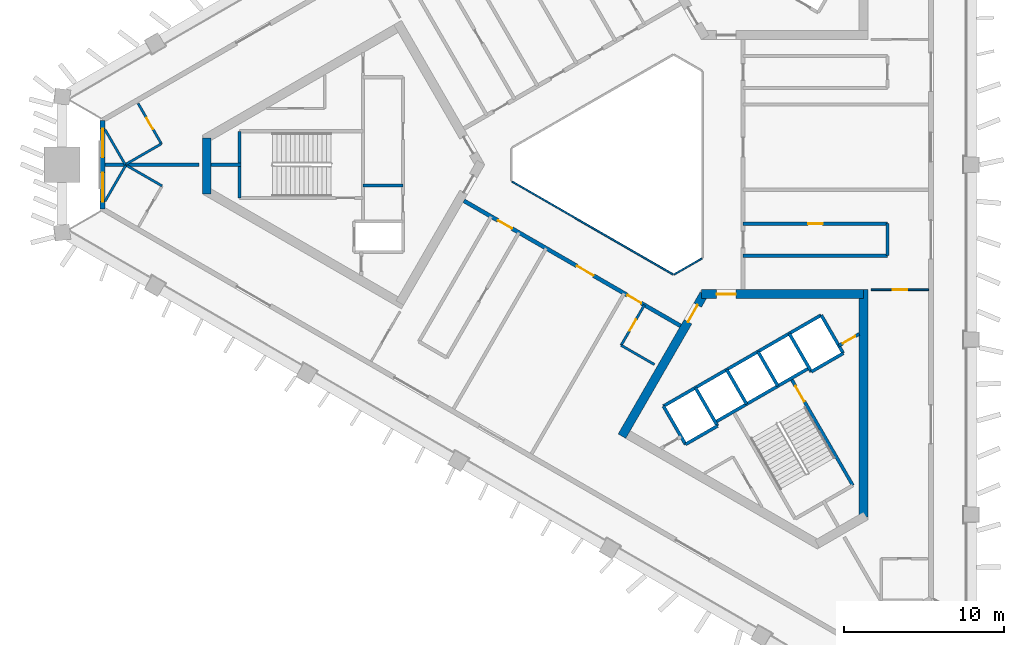
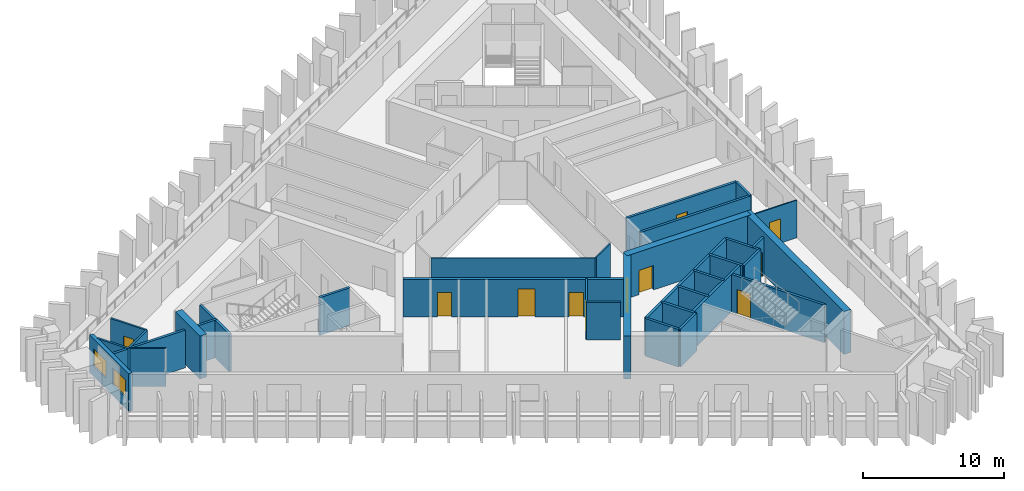
# One storey, part 3 of 10: 35 walls, 11 doors, 2 windows, 13 openings.
"""IFC4 building model written with IfcOpenShell, lengths in metres."""

from ifc_helpers import new_model, si_unit, direction, frame, frame_2d, origin, place, context, subcontext, project, spatial, rectangle, extrude, material, layer, layer_set, type_object, element, fill, save


model = new_model("IFC4")

# Units and contexts
model_context = context("Model", 3, precision=1e-05, world=origin(), true_north=direction((0.0, 1.0)))
body_context = subcontext(model_context, "Body", "Model", "MODEL_VIEW")
ifc_project = project(units=[si_unit("LENGTHUNIT", "METRE"), si_unit("AREAUNIT", "SQUARE_METRE"), si_unit("VOLUMEUNIT", "CUBIC_METRE"), si_unit("PLANEANGLEUNIT", "RADIAN"), si_unit("MASSUNIT", "GRAM", prefix="KILO")], contexts=[model_context])

# Site, building, storey
site_placement = place(None, origin())
site = spatial("IfcSite", under=ifc_project, at=site_placement, CompositionType="ELEMENT")
building_placement = place(site_placement, origin())
building = spatial("IfcBuilding", under=site, at=building_placement, Name="Jabali Bay Hotel Tower and Convention Centre", CompositionType="ELEMENT")
storey_placement = place(building_placement, frame((0.0, 0.0, 163.699951171875)))
storey = spatial("IfcBuildingStorey", under=building, at=storey_placement, Name="L39", CompositionType="ELEMENT", Elevation=163.699951171875)

# Walls
ifc_material_1 = material(Name="Fire-resistant glazing", Category="glass")
ifc_layer_1 = layer(ifc_material_1, 0.10009765625)
ifc_layer_set_1 = layer_set([ifc_layer_1], Name="Fire-resistant glazing")
wall_type_1 = type_object("IfcWallType", Name="Atrium glazed screen 100", PredefinedType="PARTITIONING", material=ifc_layer_set_1)
wall_1_placement = place(storey_placement, frame((67.7021484375, 78.947998046875, 0.0), z_axis=(0.0, 0.0, 1.0), x_axis=(0.866026658274, -0.499997827154, 0.0)))
element("IfcWall", 1, at=wall_1_placement, inside=storey, type_object=wall_type_1, Name="Atrium screen 5 L39", PredefinedType="PARTITIONING", context=body_context, shape_type="SweptSolid", body=[
    extrude(rectangle(XDim=11.58837890625, YDim=0.10009765625, at=frame_2d((5.794189453125, 0.0))), origin(), (0.0, 0.0, 1.0), 3.25),
])
wall_2_placement = place(storey_placement, frame((77.7978515625, 73.15380859375, 0.0), z_axis=(0.0, 0.0, 1.0), x_axis=(0.866041268327, 0.499972520799, 0.0)))
element("IfcWall", 2, at=wall_2_placement, inside=storey, type_object=wall_type_1, Name="Atrium screen 6 L39", PredefinedType="PARTITIONING", context=body_context, shape_type="SweptSolid", body=[
    extrude(rectangle(XDim=2.0, YDim=0.10009765625, at=frame_2d((1.0, 0.0))), origin(), (0.0, 0.0, 1.0), 3.25),
])
ifc_material_2 = material(Name="Concrete C40", Category="concrete")
ifc_layer_2 = layer(ifc_material_2, 0.199951171875)
ifc_layer_set_2 = layer_set([ifc_layer_2], Name="Concrete C40")
wall_type_2 = type_object("IfcWallType", Name="Core partition wall 200", PredefinedType="PARTITIONING", material=ifc_layer_set_2)
wall_3_placement = place(storey_placement, frame((50.820068359375, 80.0, 0.0), z_axis=(0.0, 0.0, 1.0), x_axis=(-1.0, 0.0, 0.0)))
element("IfcWall", 3, at=wall_3_placement, inside=storey, type_object=wall_type_2, Name="Core wall 0.3 L39", PredefinedType="PARTITIONING", context=body_context, shape_type="SweptSolid", body=[
    extrude(rectangle(XDim=1.873046875, YDim=0.199951171875, at=frame_2d((0.9365234375, 0.0))), origin(), (0.0, 0.0, 1.0), 3.25),
])

# Wall, opening, door
wall_4_placement = place(storey_placement, frame((88.064697265625, 68.72119140625, 0.0), z_axis=(0.0, 0.0, 1.0), x_axis=(0.865982457891, 0.500074377092, 0.0)))
wall_4 = element("IfcWall", 4, at=wall_4_placement, inside=storey, type_object=wall_type_2, Name="Core wall 2.12 L39", PredefinedType="PARTITIONING", context=body_context, shape_type="SweptSolid", body=[
    extrude(rectangle(XDim=1.461181640625, YDim=0.199951171875, at=frame_2d((0.73046875, 0.0))), origin(), (0.0, 0.0, 1.0), 3.25),
])
opening_1_placement = place(wall_4_placement, frame((0.280517578125, 0.0, 0.0)))
opening_1 = element("IfcOpeningElement", 5, at=opening_1_placement, cuts=wall_4, Name="Opening D861", PredefinedType="OPENING", context=body_context, shape_type="SweptSolid", body=[
    extrude(rectangle(XDim=0.89990234375, YDim=2.10009765625, at=frame_2d((0.449951171875, 1.050048828125))), frame((0.0, 0.1103515625, 0.0), z_axis=(0.0, -1.0, 0.0), x_axis=(1.0, 0.0, 0.0)), (0.0, 0.0, 1.0), 0.220947265625),
])
ifc_material_3 = material(Name="Fire-rated steel door", Category="steel")
door_type_1 = type_object("IfcDoorType", Name="Vestibule fire door 900 x 2100", OperationType="NOTDEFINED", PredefinedType="NOTDEFINED", material=ifc_material_3)
door_1_placement = place(opening_1_placement, origin())
door_1 = element("IfcDoor", 6, at=door_1_placement, inside=storey, type_object=door_type_1, Name="Vestibule fire door D861", OperationType="SINGLE_SWING_LEFT", OverallHeight=2.10009765625, OverallWidth=0.89990234375, PredefinedType="NOTDEFINED", context=body_context, shape_type="SweptSolid", body=[
    extrude(rectangle(XDim=0.89990234375, YDim=2.10009765625, at=frame_2d((0.449951171875, 1.050048828125))), frame((0.0, 0.02490234375, 0.0), z_axis=(0.0, -1.0, 0.0), x_axis=(1.0, 0.0, 0.0)), (0.0, 0.0, 1.0), 0.050048828125),
])
fill(opening_1, door_1)

# Walls
ifc_layer_3 = layer(ifc_material_2, 0.199951171875)
ifc_layer_set_3 = layer_set([ifc_layer_3], Name="Concrete C40")
wall_type_3 = type_object("IfcWallType", Name="Core stair wall 200", PredefinedType="SOLIDWALL", material=ifc_layer_set_3)
wall_5_placement = place(storey_placement, frame((60.89990234375, 78.699951171875, 0.0), z_axis=(0.0, 0.0, 1.0), x_axis=(-1.0, 0.0, 0.0)))
element("IfcWall", 7, at=wall_5_placement, inside=storey, type_object=wall_type_3, Name="Core wall 0.4 L39", PredefinedType="SOLIDWALL", context=body_context, shape_type="SweptSolid", body=[
    extrude(rectangle(XDim=2.47998046875, YDim=0.199951171875, at=frame_2d((1.239990234375, 0.0))), origin(), (0.0, 0.0, 1.0), 3.25),
])
wall_6_placement = place(storey_placement, frame((50.719970703125, 82.074951171875, 0.0), z_axis=(0.0, 0.0, 1.0), x_axis=(0.0, -1.0, 0.0)))
element("IfcWall", 8, at=wall_6_placement, inside=storey, type_object=wall_type_3, Name="Core wall 0.13 L39", PredefinedType="SOLIDWALL", context=body_context, shape_type="SweptSolid", body=[
    extrude(rectangle(XDim=4.14990234375, YDim=0.199951171875, at=frame_2d((2.074951171875, 0.0))), origin(), (0.0, 0.0, 1.0), 3.25),
])
for number, where, z_axis, x_axis, name in (
    (9, (77.13525390625, 64.95166015625, 0.0), (0.0, 0.0, 1.0), (0.499996545922, -0.866027397988, 0.0), "Core wall 2.0 L39"),
    (10, (79.127197265625, 66.1015625, 0.0), (0.0, 0.0, 1.0), (0.499996545922, -0.866027397988, 0.0), "Core wall 2.2 L39"),
):
    element("IfcWall", number, at=place(storey_placement, frame(where, z_axis=z_axis, x_axis=x_axis)), inside=storey, type_object=wall_type_3, Name=name, PredefinedType="SOLIDWALL", context=body_context, shape_type="SweptSolid", body=[
        extrude(rectangle(XDim=2.75, YDim=0.199951171875, at=frame_2d((1.375, 0.0))), origin(), (0.0, 0.0, 1.0), 3.25),
    ])
for number, where, z_axis, x_axis, name in (
    (11, (81.07568359375, 67.2265625, 0.0), (0.0, 0.0, 1.0), (0.50000366821, -0.866023285932, 0.0), "Core wall 2.4 L39"),
    (12, (83.024169921875, 68.3515625, 0.0), (0.0, 0.0, 1.0), (0.50000366821, -0.866023285932, 0.0), "Core wall 2.6 L39"),
):
    element("IfcWall", number, at=place(storey_placement, frame(where, z_axis=z_axis, x_axis=x_axis)), inside=storey, type_object=wall_type_3, Name=name, PredefinedType="SOLIDWALL", context=body_context, shape_type="SweptSolid", body=[
        extrude(rectangle(XDim=2.47998046875, YDim=0.199951171875, at=frame_2d((1.239990234375, 0.0))), origin(), (0.0, 0.0, 1.0), 3.25),
    ])

# Wall, opening, door
wall_7_placement = place(storey_placement, frame((85.0869140625, 66.6787109375, 0.0), z_axis=(0.0, 0.0, 1.0), x_axis=(0.500019787375, -0.866013979237, 0.0)))
wall_7 = element("IfcWall", 13, at=wall_7_placement, inside=storey, type_object=wall_type_3, Name="Core wall 2.7 L39", PredefinedType="SOLIDWALL", context=body_context, shape_type="SweptSolid", body=[
    extrude(rectangle(XDim=7.699951171875, YDim=0.199951171875, at=frame_2d((3.85009765625, 0.0))), origin(), (0.0, 0.0, 1.0), 3.25),
])
opening_2_placement = place(wall_7_placement, frame((0.550048828125, 0.0, 0.0)))
opening_2 = element("IfcOpeningElement", 14, at=opening_2_placement, cuts=wall_7, Name="Opening D863", PredefinedType="OPENING", context=body_context, shape_type="SweptSolid", body=[
    extrude(rectangle(XDim=1.10009765625, YDim=2.10009765625, at=frame_2d((0.550048828125, 1.050048828125))), frame((0.0, 0.1103515625, 0.0), z_axis=(0.0, -1.0, 0.0), x_axis=(1.0, 0.0, 0.0)), (0.0, 0.0, 1.0), 0.220947265625),
])
door_type_2 = type_object("IfcDoorType", Name="Stair fire door 1100 x 2100", OperationType="NOTDEFINED", PredefinedType="NOTDEFINED", material=ifc_material_3)
door_2_placement = place(opening_2_placement, origin())
door_2 = element("IfcDoor", 15, at=door_2_placement, inside=storey, type_object=door_type_2, Name="Stair fire door D863", OperationType="SINGLE_SWING_RIGHT", OverallHeight=2.10009765625, OverallWidth=1.10009765625, PredefinedType="NOTDEFINED", context=body_context, shape_type="SweptSolid", body=[
    extrude(rectangle(XDim=1.10009765625, YDim=2.10009765625, at=frame_2d((0.550048828125, 1.050048828125))), frame((0.0, 0.02490234375, 0.0), z_axis=(0.0, -1.0, 0.0), x_axis=(1.0, 0.0, 0.0)), (0.0, 0.0, 1.0), 0.050048828125),
])
fill(opening_2, door_2)

# Walls
for number, where, z_axis, x_axis, name in (
    (16, (84.972900390625, 69.4765625, 0.0), (0.0, 0.0, 1.0), (0.499996545922, -0.866027397988, 0.0), "Core wall 2.8 L39"),
    (17, (86.964599609375, 70.62646484375, 0.0), (0.0, 0.0, 1.0), (0.499996545922, -0.866027397988, 0.0), "Core wall 2.9 L39"),
):
    element("IfcWall", number, at=place(storey_placement, frame(where, z_axis=z_axis, x_axis=x_axis)), inside=storey, type_object=wall_type_3, Name=name, PredefinedType="SOLIDWALL", context=body_context, shape_type="SweptSolid", body=[
        extrude(rectangle(XDim=2.75, YDim=0.199951171875, at=frame_2d((1.375, 0.0))), origin(), (0.0, 0.0, 1.0), 3.25),
    ])
wall_8_placement = place(storey_placement, frame((77.13525390625, 64.95166015625, 0.0), z_axis=(0.0, 0.0, 1.0), x_axis=(0.866031916153, 0.499988720078, 0.0)))
element("IfcWall", 18, at=wall_8_placement, inside=storey, type_object=wall_type_3, Name="Core wall 2.10 L39", PredefinedType="SOLIDWALL", context=body_context, shape_type="SweptSolid", body=[
    extrude(rectangle(XDim=11.349853515625, YDim=0.199951171875, at=frame_2d((5.6748046875, 0.0))), origin(), (0.0, 0.0, 1.0), 3.25),
])
wall_9_placement = place(storey_placement, frame((80.3671875, 63.953857421875, 0.0), z_axis=(0.0, 0.0, 1.0), x_axis=(0.866026575979, 0.499997969693, 0.0)))
element("IfcWall", 19, at=wall_9_placement, inside=storey, type_object=wall_type_3, Name="Core wall 2.13 L39", PredefinedType="SOLIDWALL", context=body_context, shape_type="SweptSolid", body=[
    extrude(rectangle(XDim=6.75, YDim=0.199951171875, at=frame_2d((3.375, 0.0))), origin(), (0.0, 0.0, 1.0), 3.25),
])
wall_10_placement = place(storey_placement, frame((78.51025390625, 62.570068359375, 0.0), z_axis=(0.0, 0.0, 1.0), x_axis=(0.866053019151, 0.499952165731, 0.0)))
element("IfcWall", 20, at=wall_10_placement, inside=storey, type_object=wall_type_3, Name="Core wall 2.14 L39", PredefinedType="SOLIDWALL", context=body_context, shape_type="SweptSolid", body=[
    extrude(rectangle(XDim=2.300048828125, YDim=0.199951171875, at=frame_2d((1.14990234375, 0.0))), origin(), (0.0, 0.0, 1.0), 3.25),
])
wall_11_placement = place(storey_placement, frame((86.347900390625, 67.094970703125, 0.0), z_axis=(0.0, 0.0, 1.0), x_axis=(0.86602648383, 0.499998129301, 0.0)))
element("IfcWall", 21, at=wall_11_placement, inside=storey, type_object=wall_type_3, Name="Core wall 2.15 L39", PredefinedType="SOLIDWALL", context=body_context, shape_type="SweptSolid", body=[
    extrude(rectangle(XDim=2.2998046875, YDim=0.199951171875, at=frame_2d((1.14990234375, 0.0))), origin(), (0.0, 0.0, 1.0), 3.25),
])
ifc_material_4 = material(Name="Concrete C60", Category="concrete")
ifc_layer_4 = layer(ifc_material_4, 0.550048828125)
ifc_layer_set_4 = layer_set([ifc_layer_4], Name="Concrete C60")
wall_type_4 = type_object("IfcWallType", Name="Core wall 550", PredefinedType="SHEAR", material=ifc_layer_set_4)
wall_12_placement = place(storey_placement, frame((48.671875, 81.663818359375, 0.0), z_axis=(0.0, 0.0, 1.0), x_axis=(0.0, -1.0, 0.0)))
element("IfcWall", 22, at=wall_12_placement, inside=storey, type_object=wall_type_4, Name="Core wall 1.3 L39", PredefinedType="SHEAR", context=body_context, shape_type="SweptSolid", body=[
    extrude(rectangle(XDim=3.486572265625, YDim=0.550048828125, at=frame_2d((1.7431640625, 0.0))), origin(), (0.0, 0.0, 1.0), 3.699951171875),
])

# Wall, opening, door
wall_13_placement = place(storey_placement, frame((79.65869140625, 71.9306640625, 0.0), z_axis=(0.0, 0.0, 1.0), x_axis=(-0.500000202252, -0.866025287014, 0.0)))
wall_13 = element("IfcWall", 23, at=wall_13_placement, inside=storey, type_object=wall_type_4, Name="Core wall 3.1 L39", PredefinedType="SHEAR", context=body_context, shape_type="SweptSolid", body=[
    extrude(rectangle(XDim=10.22119140625, YDim=0.550048828125, at=frame_2d((5.110595703125, 0.0))), origin(), (0.0, 0.0, 1.0), 3.699951171875),
])
opening_3_placement = place(wall_13_placement, frame((0.791259765625, 0.0, 0.0)))
opening_3 = element("IfcOpeningElement", 24, at=opening_3_placement, cuts=wall_13, Name="Opening D859", PredefinedType="OPENING", context=body_context, shape_type="SweptSolid", body=[
    extrude(rectangle(XDim=1.199951171875, YDim=2.10009765625, at=frame_2d((0.60009765625, 1.050048828125))), frame((0.0, 0.28564453125, 0.0), z_axis=(0.0, -1.0, 0.0), x_axis=(1.0, 0.0, 0.0)), (0.0, 0.0, 1.0), 0.571044921875),
])
door_type_3 = type_object("IfcDoorType", Name="Corridor end fire door 1200 x 2100", OperationType="NOTDEFINED", PredefinedType="NOTDEFINED", material=ifc_material_3)
door_3_placement = place(opening_3_placement, origin())
door_3 = element("IfcDoor", 25, at=door_3_placement, inside=storey, type_object=door_type_3, Name="Corridor end fire door D859", OperationType="SINGLE_SWING_RIGHT", OverallHeight=2.10009765625, OverallWidth=1.199951171875, PredefinedType="NOTDEFINED", context=body_context, shape_type="SweptSolid", body=[
    extrude(rectangle(XDim=1.199951171875, YDim=2.10009765625, at=frame_2d((0.60009765625, 1.050048828125))), frame((0.0, 0.02490234375, 0.0), z_axis=(0.0, -1.0, 0.0), x_axis=(1.0, 0.0, 0.0)), (0.0, 0.0, 1.0), 0.050048828125),
])
fill(opening_3, door_3)

# Wall
wall_14_placement = place(storey_placement, frame((89.60498046875, 58.03125, 0.0), z_axis=(0.0, 0.0, 1.0), x_axis=(0.0, 1.0, 0.0)))
element("IfcWall", 26, at=wall_14_placement, inside=storey, type_object=wall_type_4, Name="Core wall 3.4 L39", PredefinedType="SHEAR", context=body_context, shape_type="SweptSolid", body=[
    extrude(rectangle(XDim=14.174560546875, YDim=0.550048828125, at=frame_2d((7.08740234375, 0.0))), origin(), (0.0, 0.0, 1.0), 3.699951171875),
])

# Wall, opening, door
wall_15_placement = place(storey_placement, frame((89.60498046875, 71.9306640625, 0.0), z_axis=(0.0, 0.0, 1.0), x_axis=(-1.0, 0.0, 0.0)))
wall_15 = element("IfcWall", 27, at=wall_15_placement, inside=storey, type_object=wall_type_4, Name="Core wall 3.5 L39", PredefinedType="SHEAR", context=body_context, shape_type="SweptSolid", body=[
    extrude(rectangle(XDim=10.10498046875, YDim=0.550048828125, at=frame_2d((5.052490234375, 0.0))), origin(), (0.0, 0.0, 1.0), 3.699951171875),
])
opening_4_placement = place(wall_15_placement, frame((7.955078125, 0.0, 0.0)))
opening_4 = element("IfcOpeningElement", 28, at=opening_4_placement, cuts=wall_15, Name="Opening D860", PredefinedType="OPENING", context=body_context, shape_type="SweptSolid", body=[
    extrude(rectangle(XDim=1.199951171875, YDim=2.10009765625, at=frame_2d((0.60009765625, 1.050048828125))), frame((0.0, 0.28564453125, 0.0), z_axis=(0.0, -1.0, 0.0), x_axis=(1.0, 0.0, 0.0)), (0.0, 0.0, 1.0), 0.571044921875),
])
door_4_placement = place(opening_4_placement, origin())
door_4 = element("IfcDoor", 29, at=door_4_placement, inside=storey, type_object=door_type_3, Name="Corridor end fire door D860", OperationType="SINGLE_SWING_LEFT", OverallHeight=2.10009765625, OverallWidth=1.199951171875, PredefinedType="NOTDEFINED", context=body_context, shape_type="SweptSolid", body=[
    extrude(rectangle(XDim=1.199951171875, YDim=2.10009765625, at=frame_2d((0.60009765625, 1.050048828125))), frame((0.0, 0.02490234375, 0.0), z_axis=(0.0, -1.0, 0.0), x_axis=(1.0, 0.0, 0.0)), (0.0, 0.0, 1.0), 0.050048828125),
])
fill(opening_4, door_4)

# Wall, openings, doors
ifc_layer_5 = layer(ifc_material_4, 0.25)
ifc_layer_set_5 = layer_set([ifc_layer_5], Name="Concrete C60")
wall_type_5 = type_object("IfcWallType", Name="Corridor wall 250", PredefinedType="SHEAR", material=ifc_layer_set_5)
wall_16_placement = place(storey_placement, frame((64.699951171875, 77.748291015625, 0.0), z_axis=(0.0, 0.0, 1.0), x_axis=(0.866026492143, -0.499998114903, 0.0)))
wall_16 = element("IfcWall", 30, at=wall_16_placement, inside=storey, type_object=wall_type_5, Name="Corridor wall 3 L39", PredefinedType="SHEAR", context=body_context, shape_type="SweptSolid", body=[
    extrude(rectangle(XDim=15.58837890625, YDim=0.25, at=frame_2d((7.794189453125, 0.0))), origin(), (0.0, 0.0, 1.0), 3.25),
])
opening_5_placement = place(wall_16_placement, frame((2.4619140625, 0.0, 0.0)))
opening_5 = element("IfcOpeningElement", 31, at=opening_5_placement, cuts=wall_16, Name="Opening 3918", PredefinedType="OPENING", context=body_context, shape_type="SweptSolid", body=[
    extrude(rectangle(XDim=1.0, YDim=2.10009765625, at=frame_2d((0.5, 1.050048828125))), frame((0.0, 0.135498046875, 0.0), z_axis=(0.0, -1.0, 0.0), x_axis=(1.0, 0.0, 0.0)), (0.0, 0.0, 1.0), 0.27099609375),
])
opening_6_placement = place(wall_16_placement, frame((8.12939453125, 0.0, 0.0)))
opening_6 = element("IfcOpeningElement", 32, at=opening_6_placement, cuts=wall_16, Name="Opening 3922", PredefinedType="OPENING", context=body_context, shape_type="SweptSolid", body=[
    extrude(rectangle(XDim=1.199951171875, YDim=2.39990234375, at=frame_2d((0.60009765625, 1.199951171875))), frame((0.0, 0.135498046875, 0.0), z_axis=(0.0, -1.0, 0.0), x_axis=(1.0, 0.0, 0.0)), (0.0, 0.0, 1.0), 0.27099609375),
])
opening_7_placement = place(wall_16_placement, frame((11.761962890625, 0.0, 0.0)))
opening_7 = element("IfcOpeningElement", 33, at=opening_7_placement, cuts=wall_16, Name="Opening 3924", PredefinedType="OPENING", context=body_context, shape_type="SweptSolid", body=[
    extrude(rectangle(XDim=1.0, YDim=2.10009765625, at=frame_2d((0.5, 1.050048828125))), frame((0.0, 0.135498046875, 0.0), z_axis=(0.0, -1.0, 0.0), x_axis=(1.0, 0.0, 0.0)), (0.0, 0.0, 1.0), 0.27099609375),
])
ifc_material_5 = material(Name="Timber", Category="wood")
door_type_4 = type_object("IfcDoorType", Name="Guest room door 1000 x 2100", OperationType="NOTDEFINED", PredefinedType="NOTDEFINED", material=ifc_material_5)
door_5_placement = place(opening_5_placement, origin())
door_5 = element("IfcDoor", 34, at=door_5_placement, inside=storey, type_object=door_type_4, Name="Door 3918", OperationType="SINGLE_SWING_LEFT", OverallHeight=2.10009765625, OverallWidth=1.0, PredefinedType="NOTDEFINED", context=body_context, shape_type="SweptSolid", body=[
    extrude(rectangle(XDim=1.0, YDim=2.10009765625, at=frame_2d((0.5, 1.050048828125))), frame((0.0, 0.02490234375, 0.0), z_axis=(0.0, -1.0, 0.0), x_axis=(1.0, 0.0, 0.0)), (0.0, 0.0, 1.0), 0.050048828125),
])
fill(opening_5, door_5)
door_6_placement = place(opening_7_placement, origin())
door_6 = element("IfcDoor", 35, at=door_6_placement, inside=storey, type_object=door_type_4, Name="Door 3924", OperationType="SINGLE_SWING_RIGHT", OverallHeight=2.10009765625, OverallWidth=1.0, PredefinedType="NOTDEFINED", context=body_context, shape_type="SweptSolid", body=[
    extrude(rectangle(XDim=1.0, YDim=2.10009765625, at=frame_2d((0.5, 1.050048828125))), frame((0.0, 0.02490234375, 0.0), z_axis=(0.0, -1.0, 0.0), x_axis=(1.0, 0.0, 0.0)), (0.0, 0.0, 1.0), 0.050048828125),
])
fill(opening_7, door_6)
door_type_5 = type_object("IfcDoorType", Name="Public room door 1200 x 2400", OperationType="NOTDEFINED", PredefinedType="NOTDEFINED", material=ifc_material_5)
door_7_placement = place(opening_6_placement, origin())
door_7 = element("IfcDoor", 36, at=door_7_placement, inside=storey, type_object=door_type_5, Name="Door 3922", OperationType="SINGLE_SWING_RIGHT", OverallHeight=2.39990234375, OverallWidth=1.199951171875, PredefinedType="NOTDEFINED", context=body_context, shape_type="SweptSolid", body=[
    extrude(rectangle(XDim=1.199951171875, YDim=2.39990234375, at=frame_2d((0.60009765625, 1.199951171875))), frame((0.0, 0.02490234375, 0.0), z_axis=(0.0, -1.0, 0.0), x_axis=(1.0, 0.0, 0.0)), (0.0, 0.0, 1.0), 0.050048828125),
])
fill(opening_6, door_7)

# Wall, openings, windows
ifc_layer_6 = layer(ifc_material_2, 0.300048828125)
ifc_layer_set_6 = layer_set([ifc_layer_6], Name="Concrete C40")
wall_type_6 = type_object("IfcWallType", Name="External wall 300", PredefinedType="SOLIDWALL", material=ifc_layer_set_6)
wall_17_placement = place(storey_placement, frame((42.18896484375, 77.234130859375, 0.0), z_axis=(0.0, 0.0, 1.0), x_axis=(0.0, 1.0, 0.0)))
wall_17 = element("IfcWall", 37, at=wall_17_placement, inside=storey, type_object=wall_type_6, Name="External wall west chamfer L39", PredefinedType="SOLIDWALL", context=body_context, shape_type="SweptSolid", body=[
    extrude(rectangle(XDim=5.53173828125, YDim=0.300048828125, at=frame_2d((2.765869140625, 0.0))), origin(), (0.0, 0.0, 1.0), 3.25),
])
opening_8_placement = place(wall_17_placement, frame((3.21728515625, 0.0, 0.89990234375)))
opening_8 = element("IfcOpeningElement", 38, at=opening_8_placement, cuts=wall_17, Name="Opening W1", PredefinedType="OPENING", context=body_context, shape_type="SweptSolid", body=[
    extrude(rectangle(XDim=1.800048828125, YDim=1.5, at=frame_2d((0.89990234375, 0.75))), frame((0.0, 0.16064453125, 0.0), z_axis=(0.0, -1.0, 0.0), x_axis=(1.0, 0.0, 0.0)), (0.0, 0.0, 1.0), 0.321044921875),
])
opening_9_placement = place(wall_17_placement, frame((0.465087890625, 0.0, 0.89990234375)))
opening_9 = element("IfcOpeningElement", 39, at=opening_9_placement, cuts=wall_17, Name="Opening W1", PredefinedType="OPENING", context=body_context, shape_type="SweptSolid", body=[
    extrude(rectangle(XDim=1.800048828125, YDim=1.5, at=frame_2d((0.89990234375, 0.75))), frame((0.0, 0.16064453125, 0.0), z_axis=(0.0, -1.0, 0.0), x_axis=(1.0, 0.0, 0.0)), (0.0, 0.0, 1.0), 0.321044921875),
])
ifc_material_6 = material(Name="Glass", Category="glass")
window_type = type_object("IfcWindowType", Name="Window 1800 x 1500", PartitioningType="SINGLE_PANEL", PredefinedType="WINDOW", material=ifc_material_6)
window_1_placement = place(opening_8_placement, origin())
window_1 = element("IfcWindow", 40, at=window_1_placement, inside=storey, type_object=window_type, Name="Window 3908", OverallHeight=1.5, OverallWidth=1.800048828125, PartitioningType="SINGLE_PANEL", PredefinedType="WINDOW", context=body_context, shape_type="SweptSolid", body=[
    extrude(rectangle(XDim=1.800048828125, YDim=1.5, at=frame_2d((0.89990234375, 0.75))), frame((0.0, 0.030029296875, 0.0), z_axis=(0.0, -1.0, 0.0), x_axis=(1.0, 0.0, 0.0)), (0.0, 0.0, 1.0), 0.06005859375),
])
fill(opening_8, window_1)
window_2_placement = place(opening_9_placement, origin())
window_2 = element("IfcWindow", 41, at=window_2_placement, inside=storey, type_object=window_type, Name="Window 3910", OverallHeight=1.5, OverallWidth=1.800048828125, PartitioningType="SINGLE_PANEL", PredefinedType="WINDOW", context=body_context, shape_type="SweptSolid", body=[
    extrude(rectangle(XDim=1.800048828125, YDim=1.5, at=frame_2d((0.89990234375, 0.75))), frame((0.0, 0.030029296875, 0.0), z_axis=(0.0, -1.0, 0.0), x_axis=(1.0, 0.0, 0.0)), (0.0, 0.0, 1.0), 0.06005859375),
])
fill(opening_9, window_2)

# Wall, opening, door
ifc_material_7 = material(Name="Plasterboard on steel stud", Category="steel")
ifc_layer_7 = layer(ifc_material_7, 0.10009765625)
ifc_layer_set_7 = layer_set([ifc_layer_7], Name="Plasterboard on steel stud")
wall_type_7 = type_object("IfcWallType", Name="Partition 100 unit", PredefinedType="PARTITIONING", material=ifc_layer_set_7)
wall_18_placement = place(storey_placement, frame((90.0791015625, 72.205810546875, 0.0), z_axis=(0.0, 0.0, 1.0), x_axis=(1.0, 0.0, 0.0)))
wall_18 = element("IfcWall", 42, at=wall_18_placement, inside=storey, type_object=wall_type_7, Name="Partition P02 L39 001", PredefinedType="PARTITIONING", context=body_context, shape_type="SweptSolid", body=[
    extrude(rectangle(XDim=3.57275390625, YDim=0.10009765625, at=frame_2d((1.786376953125, 0.0))), origin(), (0.0, 0.0, 1.0), 3.25),
])
opening_10_placement = place(wall_18_placement, frame((1.3359375, 0.0, 0.0)))
opening_10 = element("IfcOpeningElement", 43, at=opening_10_placement, cuts=wall_18, Name="Opening 3902", PredefinedType="OPENING", context=body_context, shape_type="SweptSolid", body=[
    extrude(rectangle(XDim=0.89990234375, YDim=2.10009765625, at=frame_2d((0.449951171875, 1.050048828125))), frame((0.0, 0.060546875, 0.0), z_axis=(0.0, -1.0, 0.0), x_axis=(1.0, 0.0, 0.0)), (0.0, 0.0, 1.0), 0.12109375),
])
door_type_6 = type_object("IfcDoorType", Name="Internal door 900 x 2100", OperationType="NOTDEFINED", PredefinedType="NOTDEFINED", material=ifc_material_5)
door_8_placement = place(opening_10_placement, origin())
door_8 = element("IfcDoor", 44, at=door_8_placement, inside=storey, type_object=door_type_6, Name="Door 3902", OperationType="SINGLE_SWING_LEFT", OverallHeight=2.10009765625, OverallWidth=0.89990234375, PredefinedType="NOTDEFINED", context=body_context, shape_type="SweptSolid", body=[
    extrude(rectangle(XDim=0.89990234375, YDim=2.10009765625, at=frame_2d((0.449951171875, 1.050048828125))), frame((0.0, 0.02490234375, 0.0), z_axis=(0.0, -1.0, 0.0), x_axis=(1.0, 0.0, 0.0)), (0.0, 0.0, 1.0), 0.050048828125),
])
fill(opening_10, door_8)

ifc_layer_8 = layer(ifc_material_7, 0.14990234375)
ifc_layer_set_8 = layer_set([ifc_layer_8], Name="Plasterboard on steel stud")
wall_type_8 = type_object("IfcWallType", Name="Partition 150 wet", PredefinedType="PARTITIONING", material=ifc_layer_set_8)
wall_19_placement = place(storey_placement, frame((44.39990234375, 83.812255859375, 0.0), z_axis=(0.0, 0.0, 1.0), x_axis=(0.50005036918, -0.865996321171, 0.0)))
wall_19 = element("IfcWall", 45, at=wall_19_placement, inside=storey, type_object=wall_type_8, Name="Partition P03 L39 028", PredefinedType="PARTITIONING", context=body_context, shape_type="SweptSolid", body=[
    extrude(rectangle(XDim=2.900146484375, YDim=0.14990234375, at=frame_2d((1.4501953125, 0.0))), origin(), (0.0, 0.0, 1.0), 3.25),
])
opening_11_placement = place(wall_19_placement, frame((1.050048828125, 0.0, 0.0)))
opening_11 = element("IfcOpeningElement", 46, at=opening_11_placement, cuts=wall_19, Name="Opening 3916", PredefinedType="OPENING", context=body_context, shape_type="SweptSolid", body=[
    extrude(rectangle(XDim=0.800048828125, YDim=2.10009765625, at=frame_2d((0.39990234375, 1.050048828125))), frame((0.0, 0.08544921875, 0.0), z_axis=(0.0, -1.0, 0.0), x_axis=(1.0, 0.0, 0.0)), (0.0, 0.0, 1.0), 0.1708984375),
])
door_type_7 = type_object("IfcDoorType", Name="En-suite door 800 x 2100", OperationType="NOTDEFINED", PredefinedType="NOTDEFINED", material=ifc_material_5)
door_9_placement = place(opening_11_placement, origin())
door_9 = element("IfcDoor", 47, at=door_9_placement, inside=storey, type_object=door_type_7, Name="Door 3916", OperationType="SINGLE_SWING_LEFT", OverallHeight=2.10009765625, OverallWidth=0.800048828125, PredefinedType="NOTDEFINED", context=body_context, shape_type="SweptSolid", body=[
    extrude(rectangle(XDim=0.800048828125, YDim=2.10009765625, at=frame_2d((0.39990234375, 1.050048828125))), frame((0.0, 0.02490234375, 0.0), z_axis=(0.0, -1.0, 0.0), x_axis=(1.0, 0.0, 0.0)), (0.0, 0.0, 1.0), 0.050048828125),
])
fill(opening_11, door_9)

# Walls
wall_20_placement = place(storey_placement, frame((45.85009765625, 81.30078125, 0.0), z_axis=(0.0, 0.0, 1.0), x_axis=(-0.866021400173, -0.500006934395, 0.0)))
element("IfcWall", 48, at=wall_20_placement, inside=storey, type_object=wall_type_8, Name="Partition P03 L39 029", PredefinedType="PARTITIONING", context=body_context, shape_type="SweptSolid", body=[
    extrude(rectangle(XDim=2.60009765625, YDim=0.14990234375, at=frame_2d((1.300048828125, 0.0))), origin(), (0.0, 0.0, 1.0), 3.25),
])
wall_21_placement = place(storey_placement, frame((43.598388671875, 80.000732421875, 0.0), z_axis=(0.0, 0.0, 1.0), x_axis=(-0.500024252353, 0.866011401229, 0.0)))
element("IfcWall", 49, at=wall_21_placement, inside=storey, type_object=wall_type_8, Name="Partition P03 L39 030", PredefinedType="PARTITIONING", context=body_context, shape_type="SweptSolid", body=[
    extrude(rectangle(XDim=2.520751953125, YDim=0.14990234375, at=frame_2d((1.26025390625, 0.0))), origin(), (0.0, 0.0, 1.0), 3.25),
])
wall_22_placement = place(storey_placement, frame((42.337890625, 77.7177734375, 0.0), z_axis=(0.0, 0.0, 1.0), x_axis=(0.499998180979, 0.866026453994, 0.0)))
element("IfcWall", 50, at=wall_22_placement, inside=storey, type_object=wall_type_8, Name="Partition P03 L39 037", PredefinedType="PARTITIONING", context=body_context, shape_type="SweptSolid", body=[
    extrude(rectangle(XDim=2.60595703125, YDim=0.14990234375, at=frame_2d((1.302978515625, 0.0))), origin(), (0.0, 0.0, 1.0), 3.25),
])
wall_23_placement = place(storey_placement, frame((43.640869140625, 79.974609375, 0.0), z_axis=(0.0, 0.0, 1.0), x_axis=(0.866021400173, -0.500006934395, 0.0)))
element("IfcWall", 51, at=wall_23_placement, inside=storey, type_object=wall_type_8, Name="Partition P03 L39 038", PredefinedType="PARTITIONING", context=body_context, shape_type="SweptSolid", body=[
    extrude(rectangle(XDim=2.60009765625, YDim=0.14990234375, at=frame_2d((1.300048828125, 0.0))), origin(), (0.0, 0.0, 1.0), 3.25),
])
wall_24_placement = place(storey_placement, frame((76.57763671875, 67.542236328125, 0.0), z_axis=(0.0, 0.0, 1.0), x_axis=(-0.866038271014, 0.499977712642, 0.0)))
element("IfcWall", 52, at=wall_24_placement, inside=storey, type_object=wall_type_8, Name="Partition P03 L39 041", PredefinedType="PARTITIONING", context=body_context, shape_type="SweptSolid", body=[
    extrude(rectangle(XDim=2.40087890625, YDim=0.14990234375, at=frame_2d((1.200439453125, 0.0))), origin(), (0.0, 0.0, 1.0), 3.25),
])

# Wall, opening, door
wall_25_placement = place(storey_placement, frame((74.498291015625, 68.74267578125, 0.0), z_axis=(0.0, 0.0, 1.0), x_axis=(0.499987231761, 0.866032775405, 0.0)))
wall_25 = element("IfcWall", 53, at=wall_25_placement, inside=storey, type_object=wall_type_8, Name="Partition P03 L39 042", PredefinedType="PARTITIONING", context=body_context, shape_type="SweptSolid", body=[
    extrude(rectangle(XDim=2.89990234375, YDim=0.14990234375, at=frame_2d((1.449951171875, 0.0))), origin(), (0.0, 0.0, 1.0), 3.25),
])
opening_12_placement = place(wall_25_placement, frame((1.050048828125, 0.0, 0.0)))
opening_12 = element("IfcOpeningElement", 54, at=opening_12_placement, cuts=wall_25, Name="Opening 3923", PredefinedType="OPENING", context=body_context, shape_type="SweptSolid", body=[
    extrude(rectangle(XDim=0.800048828125, YDim=2.10009765625, at=frame_2d((0.39990234375, 1.050048828125))), frame((0.0, 0.08544921875, 0.0), z_axis=(0.0, -1.0, 0.0), x_axis=(1.0, 0.0, 0.0)), (0.0, 0.0, 1.0), 0.1708984375),
])
door_10_placement = place(opening_12_placement, origin())
door_10 = element("IfcDoor", 55, at=door_10_placement, inside=storey, type_object=door_type_7, Name="Door 3923", OperationType="SINGLE_SWING_RIGHT", OverallHeight=2.10009765625, OverallWidth=0.800048828125, PredefinedType="NOTDEFINED", context=body_context, shape_type="SweptSolid", body=[
    extrude(rectangle(XDim=0.800048828125, YDim=2.10009765625, at=frame_2d((0.39990234375, 1.050048828125))), frame((0.0, 0.02490234375, 0.0), z_axis=(0.0, -1.0, 0.0), x_axis=(1.0, 0.0, 0.0)), (0.0, 0.0, 1.0), 0.050048828125),
])
fill(opening_12, door_10)

ifc_layer_9 = layer(ifc_material_7, 0.199951171875)
ifc_layer_set_9 = layer_set([ifc_layer_9], Name="Plasterboard on steel stud")
wall_type_9 = type_object("IfcWallType", Name="Partition 200 party", PredefinedType="PARTITIONING", material=ifc_layer_set_9)
wall_26_placement = place(storey_placement, frame((82.10009765625, 76.323486328125, 0.0), z_axis=(0.0, 0.0, 1.0), x_axis=(1.0, 0.0, 0.0)))
wall_26 = element("IfcWall", 56, at=wall_26_placement, inside=storey, type_object=wall_type_9, Name="Partition P01 L39 002", PredefinedType="PARTITIONING", context=body_context, shape_type="SweptSolid", body=[
    extrude(rectangle(XDim=9.0, YDim=0.199951171875, at=frame_2d((4.5, 0.0))), origin(), (0.0, 0.0, 1.0), 3.25),
])
opening_13_placement = place(wall_26_placement, frame((4.050048828125, 0.0, 0.0)))
opening_13 = element("IfcOpeningElement", 57, at=opening_13_placement, cuts=wall_26, Name="Opening 3904", PredefinedType="OPENING", context=body_context, shape_type="SweptSolid", body=[
    extrude(rectangle(XDim=0.89990234375, YDim=2.10009765625, at=frame_2d((0.449951171875, 1.050048828125))), frame((0.0, 0.1103515625, 0.0), z_axis=(0.0, -1.0, 0.0), x_axis=(1.0, 0.0, 0.0)), (0.0, 0.0, 1.0), 0.220947265625),
])
door_11_placement = place(opening_13_placement, origin())
door_11 = element("IfcDoor", 58, at=door_11_placement, inside=storey, type_object=door_type_6, Name="Door 3904", OperationType="SINGLE_SWING_RIGHT", OverallHeight=2.10009765625, OverallWidth=0.89990234375, PredefinedType="NOTDEFINED", context=body_context, shape_type="SweptSolid", body=[
    extrude(rectangle(XDim=0.89990234375, YDim=2.10009765625, at=frame_2d((0.449951171875, 1.050048828125))), frame((0.0, 0.02490234375, 0.0), z_axis=(0.0, -1.0, 0.0), x_axis=(1.0, 0.0, 0.0)), (0.0, 0.0, 1.0), 0.050048828125),
])
fill(opening_13, door_11)

# Walls
wall_27_placement = place(storey_placement, frame((91.10009765625, 76.323486328125, 0.0), z_axis=(0.0, 0.0, 1.0), x_axis=(0.0, -1.0, 0.0)))
element("IfcWall", 59, at=wall_27_placement, inside=storey, type_object=wall_type_9, Name="Partition P01 L39 003", PredefinedType="PARTITIONING", context=body_context, shape_type="SweptSolid", body=[
    extrude(rectangle(XDim=2.0, YDim=0.199951171875, at=frame_2d((1.0, 0.0))), origin(), (0.0, 0.0, 1.0), 3.25),
])
wall_28_placement = place(storey_placement, frame((91.10009765625, 74.323486328125, 0.0), z_axis=(0.0, 0.0, 1.0), x_axis=(-1.0, 0.0, 0.0)))
element("IfcWall", 60, at=wall_28_placement, inside=storey, type_object=wall_type_9, Name="Partition P01 L39 004", PredefinedType="PARTITIONING", context=body_context, shape_type="SweptSolid", body=[
    extrude(rectangle(XDim=9.0, YDim=0.199951171875, at=frame_2d((4.5, 0.0))), origin(), (0.0, 0.0, 1.0), 3.25),
])
wall_29_placement = place(storey_placement, frame((42.337890625, 80.0, 0.0), z_axis=(0.0, 0.0, 1.0), x_axis=(1.0, 0.0, 0.0)))
element("IfcWall", 61, at=wall_29_placement, inside=storey, type_object=wall_type_9, Name="Partition P01 L39 031", PredefinedType="PARTITIONING", context=body_context, shape_type="SweptSolid", body=[
    extrude(rectangle(XDim=5.860107421875, YDim=0.199951171875, at=frame_2d((2.93017578125, 0.0))), origin(), (0.0, 0.0, 1.0), 3.25),
])

save(model, "model.ifc")
